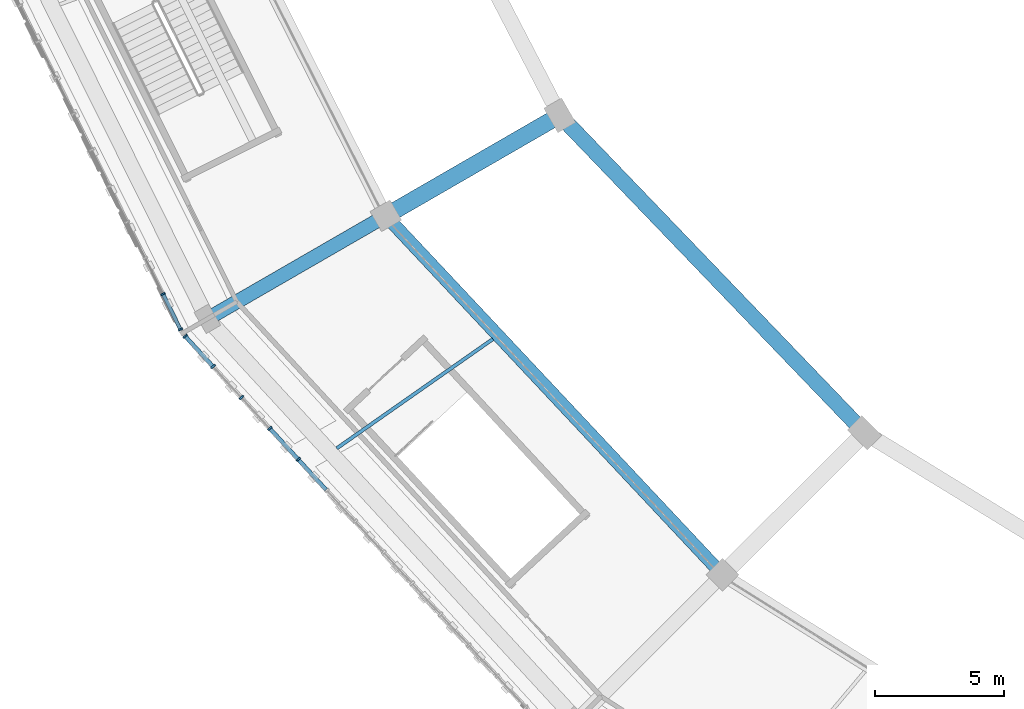
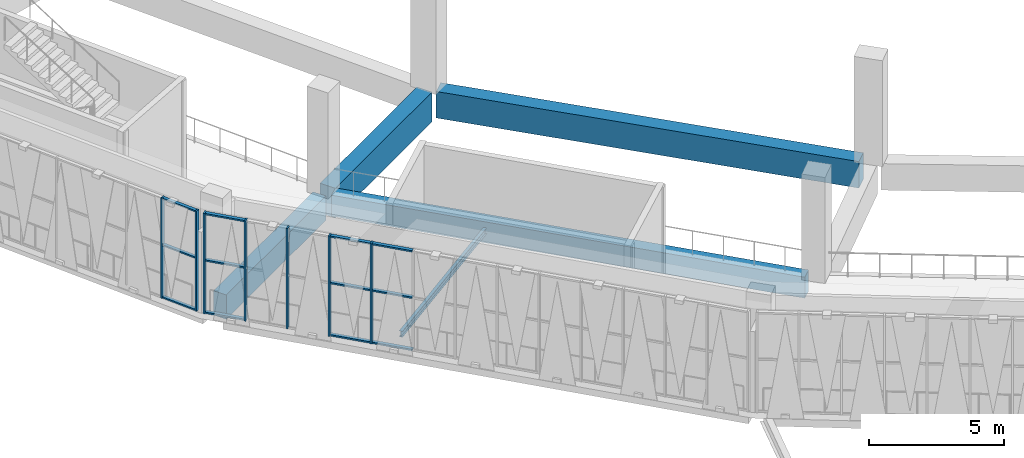
# One storey, part 6 of 108: 19 members, 5 beams, 2 elements without a shape of their own.
"""IFC4 building model written with IfcOpenShell, lengths in metres."""

from ifc_helpers import new_model, si_unit, direction, frame, origin, origin_2d, place, context, subcontext, project, spatial, rectangle, i_section, extrude, material, material_profile, profile_set, type_object, element, aggregate, save


model = new_model("IFC4")

# Units and contexts
model_context = context("Model", 3, precision=1e-05, world=origin(), true_north=direction((0.0, 1.0)))
body_context = subcontext(model_context, "Body", "Model", "MODEL_VIEW")
ifc_project = project(units=[si_unit("LENGTHUNIT", "METRE"), si_unit("AREAUNIT", "SQUARE_METRE"), si_unit("VOLUMEUNIT", "CUBIC_METRE"), si_unit("PLANEANGLEUNIT", "RADIAN"), si_unit("MASSUNIT", "GRAM", prefix="KILO")], contexts=[model_context])

# Site, building, storey
site_placement = place(None, origin())
site = spatial("IfcSite", under=ifc_project, at=site_placement, CompositionType="ELEMENT")
building_placement = place(site_placement, origin())
building = spatial("IfcBuilding", under=site, at=building_placement, Name="Zevraka Park Crest Stadium", CompositionType="ELEMENT")
storey_placement = place(building_placement, frame((0.0, 0.0, 19.800048828125)))
storey = spatial("IfcBuildingStorey", under=building, at=storey_placement, Name="L04", CompositionType="ELEMENT", Elevation=19.800048828125)

# Beams
ifc_material_1 = material(Name="Concrete C40/50", Category="concrete")
ifc_material_profile_1 = material_profile(ifc_material_1, rectangle(XDim=0.64990234375, YDim=1.35009765625, at=origin_2d()), Name="RC 1350x650")
ifc_profile_set_1 = profile_set([ifc_material_profile_1], Name="Concrete C40/50")
beam_type_1 = type_object("IfcBeamType", Name="BG01", PredefinedType="BEAM", material=ifc_profile_set_1)
beam_1_placement = place(storey_placement, frame((47.220947265625, 62.10009765625, -0.68505859375), z_axis=(-0.866001485781, -0.500041424909, 0.0), x_axis=(0.500041424909, -0.866001485781, 0.0)))
element("IfcBeam", 1, at=beam_1_placement, inside=storey, type_object=beam_type_1, Name="Radial Girder BG01 L04-BC-14", PredefinedType="BEAM", context=body_context, shape_type="SweptSolid", body=[
    extrude(rectangle(XDim=0.64990234375, YDim=1.35009765625, at=origin_2d()), origin(), (0.0, 0.0, 1.0), 7.19970703125),
])
ifc_material_2 = material(Name="Concrete C40/50", Category="concrete")
ifc_material_profile_2 = material_profile(ifc_material_2, rectangle(XDim=0.550048828125, YDim=1.10009765625, at=origin_2d()), Name="RC 1100x550")
ifc_profile_set_2 = profile_set([ifc_material_profile_2], Name="Concrete C40/50")
beam_type_2 = type_object("IfcBeamType", Name="BG02", PredefinedType="BEAM", material=ifc_profile_set_2)
beam_2_placement = place(storey_placement, frame((40.466064453125, 58.199951171875, -0.56005859375), z_axis=(-0.86600700885, -0.500031859608, 0.0), x_axis=(0.500031859608, -0.86600700885, 0.0)))
element("IfcBeam", 2, at=beam_2_placement, inside=storey, type_object=beam_type_2, Name="Radial Girder BG02 L04-CD-14", PredefinedType="BEAM", context=body_context, shape_type="SweptSolid", body=[
    extrude(rectangle(XDim=0.550048828125, YDim=1.10009765625, at=origin_2d()), origin(), (0.0, 0.0, 1.0), 7.3994140625),
])

# Curtain wall, members
ifc_material_3 = material(Name="Anodised architectural aluminium and laminated safety glass", Category="aluminium")
curtain_wall_type_1 = type_object("IfcCurtainWallType", Name="CW17", PredefinedType="NOTDEFINED", material=ifc_material_3)
curtain_wall_1_placement = place(storey_placement, origin())
curtain_wall_1 = element("IfcCurtainWall", 3, at=curtain_wall_1_placement, inside=storey, type_object=curtain_wall_type_1, Name="Unitised Ring Curtain Wall CW17 L04-13", PredefinedType="NOTDEFINED")
ifc_material_4 = material(Name="Anodised architectural aluminium", Category="aluminium")
ifc_material_profile_3 = material_profile(ifc_material_4, rectangle(XDim=0.179931640625, YDim=0.06494140625, at=origin_2d()), Name="ALU MULLION 180x65")
ifc_profile_set_3 = profile_set([ifc_material_profile_3], Name="Anodised architectural aluminium")
member_type_1 = type_object("IfcMemberType", Name="CM02", PredefinedType="MULLION", material=ifc_profile_set_3)
member_1_placement = place(storey_placement, frame((32.075439453125, 55.31103515625, 0.0), z_axis=(0.0, 0.0, 1.0), x_axis=(0.896046076106, 0.443961067545, 0.0)))
member_1 = element("IfcMember", 4, at=member_1_placement, type_object=member_type_1, Name="CW17 mullion 13", PredefinedType="MULLION", context=body_context, shape_type="SweptSolid", body=[
    extrude(rectangle(XDim=0.179931640625, YDim=0.06494140625, at=origin_2d()), origin(), (0.0, 0.0, 1.0), 4.5400390625),
])
member_2_placement = place(storey_placement, frame((32.754638671875, 53.940185546875, 0.0), z_axis=(0.0, 0.0, 1.0), x_axis=(0.896046076106, 0.443961067545, 0.0)))
member_2 = element("IfcMember", 5, at=member_2_placement, type_object=member_type_1, Name="CW17 mullion 14", PredefinedType="MULLION", context=body_context, shape_type="SweptSolid", body=[
    extrude(rectangle(XDim=0.179931640625, YDim=0.06494140625, at=origin_2d()), origin(), (0.0, 0.0, 1.0), 4.5400390625),
])

ifc_material_5 = material(Name="Anodised architectural aluminium and laminated safety glass", Category="aluminium")
curtain_wall_type_2 = type_object("IfcCurtainWallType", Name="CW18", PredefinedType="NOTDEFINED", material=ifc_material_5)
curtain_wall_2_placement = place(storey_placement, origin())
curtain_wall_2 = element("IfcCurtainWall", 6, at=curtain_wall_2_placement, inside=storey, type_object=curtain_wall_type_2, Name="Unitised Ring Curtain Wall CW18 L04-14", PredefinedType="NOTDEFINED")
ifc_material_6 = material(Name="Anodised architectural aluminium", Category="aluminium")
ifc_material_profile_4 = material_profile(ifc_material_6, rectangle(XDim=0.199951171875, YDim=0.070068359375, at=origin_2d()), Name="ALU MULLION 200x70")
ifc_profile_set_4 = profile_set([ifc_material_profile_4], Name="Anodised architectural aluminium")
member_type_2 = type_object("IfcMemberType", Name="CM03", PredefinedType="MULLION", material=ifc_profile_set_4)
member_3_placement = place(storey_placement, frame((32.936767578125, 53.67529296875, 0.0), z_axis=(0.0, 0.0, 1.0), x_axis=(0.736774619932, 0.676138417355, 0.0)))
member_3 = element("IfcMember", 7, at=member_3_placement, type_object=member_type_2, Name="CW18 mullion 1", PredefinedType="MULLION", context=body_context, shape_type="SweptSolid", body=[
    extrude(rectangle(XDim=0.199951171875, YDim=0.070068359375, at=origin_2d()), origin(), (0.0, 0.0, 1.0), 4.5400390625),
])
member_4_placement = place(storey_placement, frame((34.016845703125, 52.498046875, 0.0), z_axis=(0.0, 0.0, 1.0), x_axis=(0.736774619932, 0.676138417355, 0.0)))
member_4 = element("IfcMember", 8, at=member_4_placement, type_object=member_type_2, Name="CW18 mullion 2", PredefinedType="MULLION", context=body_context, shape_type="SweptSolid", body=[
    extrude(rectangle(XDim=0.199951171875, YDim=0.070068359375, at=origin_2d()), origin(), (0.0, 0.0, 1.0), 4.5400390625),
])
member_5_placement = place(storey_placement, frame((35.120849609375, 51.295166015625, 0.0), z_axis=(0.0, 0.0, 1.0), x_axis=(0.736774619932, 0.676138417355, 0.0)))
member_5 = element("IfcMember", 9, at=member_5_placement, type_object=member_type_2, Name="CW18 mullion 3", PredefinedType="MULLION", context=body_context, shape_type="SweptSolid", body=[
    extrude(rectangle(XDim=0.199951171875, YDim=0.070068359375, at=origin_2d()), origin(), (0.0, 0.0, 1.0), 4.5400390625),
])
member_6_placement = place(storey_placement, frame((36.224853515625, 50.09228515625, 0.0), z_axis=(0.0, 0.0, 1.0), x_axis=(0.736774619932, 0.676138417355, 0.0)))
member_6 = element("IfcMember", 10, at=member_6_placement, type_object=member_type_2, Name="CW18 mullion 4", PredefinedType="MULLION", context=body_context, shape_type="SweptSolid", body=[
    extrude(rectangle(XDim=0.199951171875, YDim=0.070068359375, at=origin_2d()), origin(), (0.0, 0.0, 1.0), 4.5400390625),
])
member_7_placement = place(storey_placement, frame((37.32861328125, 48.889404296875, 0.0), z_axis=(0.0, 0.0, 1.0), x_axis=(0.736774619932, 0.676138417355, 0.0)))
member_7 = element("IfcMember", 11, at=member_7_placement, type_object=member_type_2, Name="CW18 mullion 5", PredefinedType="MULLION", context=body_context, shape_type="SweptSolid", body=[
    extrude(rectangle(XDim=0.199951171875, YDim=0.070068359375, at=origin_2d()), origin(), (0.0, 0.0, 1.0), 4.5400390625),
])

# Member
ifc_material_7 = material(Name="Anodised architectural aluminium", Category="aluminium")
ifc_material_profile_5 = material_profile(ifc_material_7, rectangle(XDim=0.139892578125, YDim=0.06494140625, at=origin_2d()), Name="ALU TRANSOM 140x65")
ifc_profile_set_5 = profile_set([ifc_material_profile_5], Name="Anodised architectural aluminium")
member_type_3 = type_object("IfcMemberType", Name="CT02", PredefinedType="USERDEFINED", material=ifc_profile_set_5)
member_8_placement = place(storey_placement, frame((32.08984375, 55.28173828125, 0.032470703125), z_axis=(0.444010656384, -0.896021504774, 0.0), x_axis=(0.896021504774, 0.444010656384, 0.0)))
member_8 = element("IfcMember", 12, at=member_8_placement, type_object=member_type_3, Name="CW17 transom 13.1", ObjectType="TRANSOM", PredefinedType="USERDEFINED", context=body_context, shape_type="SweptSolid", body=[
    extrude(rectangle(XDim=0.139892578125, YDim=0.06494140625, at=origin_2d()), origin(), (0.0, 0.0, 1.0), 1.46484375),
])

member_9_placement = place(storey_placement, frame((32.08984375, 55.28173828125, 2.39990234375), z_axis=(0.444010656384, -0.896021504774, 0.0), x_axis=(0.896021504774, 0.444010656384, 0.0)))
member_9 = element("IfcMember", 13, at=member_9_placement, type_object=member_type_3, Name="CW17 transom 13.2", ObjectType="TRANSOM", PredefinedType="USERDEFINED", context=body_context, shape_type="SweptSolid", body=[
    extrude(rectangle(XDim=0.139892578125, YDim=0.06494140625, at=origin_2d()), origin(), (0.0, 0.0, 1.0), 1.46484375),
])

member_10_placement = place(storey_placement, frame((32.08984375, 55.28173828125, 4.507568359375), z_axis=(0.444010656384, -0.896021504774, 0.0), x_axis=(0.896021504774, 0.444010656384, 0.0)))
member_10 = element("IfcMember", 14, at=member_10_placement, type_object=member_type_3, Name="CW17 transom 13.3", ObjectType="TRANSOM", PredefinedType="USERDEFINED", context=body_context, shape_type="SweptSolid", body=[
    extrude(rectangle(XDim=0.139892578125, YDim=0.06494140625, at=origin_2d()), origin(), (0.0, 0.0, 1.0), 1.46484375),
])

aggregate(curtain_wall_1, [member_1, member_2, member_8, member_9, member_10])

ifc_material_8 = material(Name="Anodised architectural aluminium", Category="aluminium")
ifc_material_profile_6 = material_profile(ifc_material_8, rectangle(XDim=0.14990234375, YDim=0.070068359375, at=origin_2d()), Name="ALU TRANSOM 150x70")
ifc_profile_set_6 = profile_set([ifc_material_profile_6], Name="Anodised architectural aluminium")
member_type_4 = type_object("IfcMemberType", Name="CT03", PredefinedType="USERDEFINED", material=ifc_profile_set_6)
member_11_placement = place(storey_placement, frame((32.96044921875, 53.6494140625, 0.034912109375), z_axis=(0.676086429297, -0.736822326019, 0.0), x_axis=(0.736822326019, 0.676086429297, 0.0)))
member_11 = element("IfcMember", 15, at=member_11_placement, type_object=member_type_4, Name="CW18 transom 1.1", ObjectType="TRANSOM", PredefinedType="USERDEFINED", context=body_context, shape_type="SweptSolid", body=[
    extrude(rectangle(XDim=0.14990234375, YDim=0.070068359375, at=origin_2d()), origin(), (0.0, 0.0, 1.0), 1.527587890625),
])

member_12_placement = place(storey_placement, frame((32.96044921875, 53.6494140625, 2.39990234375), z_axis=(0.676086429297, -0.736822326019, 0.0), x_axis=(0.736822326019, 0.676086429297, 0.0)))
member_12 = element("IfcMember", 16, at=member_12_placement, type_object=member_type_4, Name="CW18 transom 1.2", ObjectType="TRANSOM", PredefinedType="USERDEFINED", context=body_context, shape_type="SweptSolid", body=[
    extrude(rectangle(XDim=0.14990234375, YDim=0.070068359375, at=origin_2d()), origin(), (0.0, 0.0, 1.0), 1.527587890625),
])

member_13_placement = place(storey_placement, frame((32.96044921875, 53.6494140625, 4.5048828125), z_axis=(0.676086429297, -0.736822326019, 0.0), x_axis=(0.736822326019, 0.676086429297, 0.0)))
member_13 = element("IfcMember", 17, at=member_13_placement, type_object=member_type_4, Name="CW18 transom 1.3", ObjectType="TRANSOM", PredefinedType="USERDEFINED", context=body_context, shape_type="SweptSolid", body=[
    extrude(rectangle(XDim=0.14990234375, YDim=0.070068359375, at=origin_2d()), origin(), (0.0, 0.0, 1.0), 1.527587890625),
])

member_14_placement = place(storey_placement, frame((36.24853515625, 50.06640625, 0.034912109375), z_axis=(0.676064164587, -0.73684275484, 0.0), x_axis=(0.73684275484, 0.676064164587, 0.0)))
member_14 = element("IfcMember", 18, at=member_14_placement, type_object=member_type_4, Name="CW18 transom 4.1", ObjectType="TRANSOM", PredefinedType="USERDEFINED", context=body_context, shape_type="SweptSolid", body=[
    extrude(rectangle(XDim=0.14990234375, YDim=0.070068359375, at=origin_2d()), origin(), (0.0, 0.0, 1.0), 1.5625),
])

member_15_placement = place(storey_placement, frame((36.24853515625, 50.06640625, 2.39990234375), z_axis=(0.676064164587, -0.73684275484, 0.0), x_axis=(0.73684275484, 0.676064164587, 0.0)))
member_15 = element("IfcMember", 19, at=member_15_placement, type_object=member_type_4, Name="CW18 transom 4.2", ObjectType="TRANSOM", PredefinedType="USERDEFINED", context=body_context, shape_type="SweptSolid", body=[
    extrude(rectangle(XDim=0.14990234375, YDim=0.070068359375, at=origin_2d()), origin(), (0.0, 0.0, 1.0), 1.5625),
])

member_16_placement = place(storey_placement, frame((36.24853515625, 50.06640625, 4.5048828125), z_axis=(0.676064164587, -0.73684275484, 0.0), x_axis=(0.73684275484, 0.676064164587, 0.0)))
member_16 = element("IfcMember", 20, at=member_16_placement, type_object=member_type_4, Name="CW18 transom 4.3", ObjectType="TRANSOM", PredefinedType="USERDEFINED", context=body_context, shape_type="SweptSolid", body=[
    extrude(rectangle(XDim=0.14990234375, YDim=0.070068359375, at=origin_2d()), origin(), (0.0, 0.0, 1.0), 1.5625),
])

member_17_placement = place(storey_placement, frame((37.352294921875, 48.863525390625, 0.034912109375), z_axis=(0.67614898138, -0.736764925182, 0.0), x_axis=(0.736764925182, 0.67614898138, 0.0)))
member_17 = element("IfcMember", 21, at=member_17_placement, type_object=member_type_4, Name="CW18 transom 5.1", ObjectType="TRANSOM", PredefinedType="USERDEFINED", context=body_context, shape_type="SweptSolid", body=[
    extrude(rectangle(XDim=0.14990234375, YDim=0.070068359375, at=origin_2d()), origin(), (0.0, 0.0, 1.0), 1.562744140625),
])

member_18_placement = place(storey_placement, frame((37.352294921875, 48.863525390625, 2.39990234375), z_axis=(0.67614898138, -0.736764925182, 0.0), x_axis=(0.736764925182, 0.67614898138, 0.0)))
member_18 = element("IfcMember", 22, at=member_18_placement, type_object=member_type_4, Name="CW18 transom 5.2", ObjectType="TRANSOM", PredefinedType="USERDEFINED", context=body_context, shape_type="SweptSolid", body=[
    extrude(rectangle(XDim=0.14990234375, YDim=0.070068359375, at=origin_2d()), origin(), (0.0, 0.0, 1.0), 1.562744140625),
])

member_19_placement = place(storey_placement, frame((37.352294921875, 48.863525390625, 4.5048828125), z_axis=(0.67614898138, -0.736764925182, 0.0), x_axis=(0.736764925182, 0.67614898138, 0.0)))
member_19 = element("IfcMember", 23, at=member_19_placement, type_object=member_type_4, Name="CW18 transom 5.3", ObjectType="TRANSOM", PredefinedType="USERDEFINED", context=body_context, shape_type="SweptSolid", body=[
    extrude(rectangle(XDim=0.14990234375, YDim=0.070068359375, at=origin_2d()), origin(), (0.0, 0.0, 1.0), 1.562744140625),
])

aggregate(curtain_wall_2, [member_3, member_4, member_5, member_6, member_7, member_11, member_12, member_13, member_14, member_15, member_16, member_17, member_18, member_19])

# Beams
ifc_material_9 = material(Name="Concrete C40/50", Category="concrete")
ifc_material_profile_7 = material_profile(ifc_material_9, rectangle(XDim=0.60009765625, YDim=1.199951171875, at=origin_2d()), Name="RC 1200x600")
ifc_profile_set_7 = profile_set([ifc_material_profile_7], Name="Concrete C40/50")
beam_type_3 = type_object("IfcBeamType", Name="RB01", PredefinedType="BEAM", material=ifc_profile_set_7)
beam_3_placement = place(storey_placement, frame((47.743896484375, 61.97607421875, -0.610107421875), z_axis=(0.692852617328, -0.721079226342, 0.0), x_axis=(0.721079226342, 0.692852617328, 0.0)))
element("IfcBeam", 24, at=beam_3_placement, inside=storey, type_object=beam_type_3, Name="Ring Beam RB01 L04-B-14", PredefinedType="BEAM", context=body_context, shape_type="SweptSolid", body=[
    extrude(rectangle(XDim=0.60009765625, YDim=1.199951171875, at=origin_2d()), origin(), (0.0, 0.0, 1.0), 16.329833984375),
])
ifc_material_10 = material(Name="Concrete C40/50", Category="concrete")
ifc_material_profile_8 = material_profile(ifc_material_10, rectangle(XDim=0.5, YDim=0.949951171875, at=origin_2d()), Name="RC 950x500")
ifc_profile_set_8 = profile_set([ifc_material_profile_8], Name="Concrete C40/50")
beam_type_4 = type_object("IfcBeamType", Name="RB02", PredefinedType="BEAM", material=ifc_profile_set_8)
beam_4_placement = place(storey_placement, frame((40.986083984375, 58.072998046875, -0.485107421875), z_axis=(0.684268936493, -0.729229746068, 0.0), x_axis=(0.729229746068, 0.684268936493, 0.0)))
element("IfcBeam", 25, at=beam_4_placement, inside=storey, type_object=beam_type_4, Name="Ring Beam RB02 L04-C-14", PredefinedType="BEAM", context=body_context, shape_type="SweptSolid", body=[
    extrude(rectangle(XDim=0.5, YDim=0.949951171875, at=origin_2d()), origin(), (0.0, 0.0, 1.0), 18.353759765625),
])
ifc_material_11 = material(Name="Steel S355", Category="steel")
ifc_material_profile_9 = material_profile(ifc_material_11, i_section(OverallWidth=0.135009765625, OverallDepth=0.27001953125, WebThickness=0.006591796875, FlangeThickness=0.01025390625, at=origin_2d()), Name="IPE 270")
ifc_profile_set_9 = profile_set([ifc_material_profile_9], Name="Steel S355")
beam_type_5 = type_object("IfcBeamType", Name="SJ07", PredefinedType="JOIST", material=ifc_profile_set_9)
beam_5_placement = place(storey_placement, frame((44.885009765625, 53.56396484375, -0.403076171875), z_axis=(-0.819262921224, -0.573418055093, 0.0), x_axis=(0.573418055093, -0.819262921224, 0.0)))
element("IfcBeam", 26, at=beam_5_placement, inside=storey, type_object=beam_type_5, Name="Floor Joist SJ07 L04-CD-14-1", PredefinedType="JOIST", context=body_context, shape_type="SweptSolid", body=[
    extrude(i_section(OverallWidth=0.135009765625, OverallDepth=0.27001953125, WebThickness=0.006591796875, FlangeThickness=0.01025390625, at=origin_2d()), origin(), (0.0, 0.0, 1.0), 7.3994140625),
])

save(model, "model.ifc")
